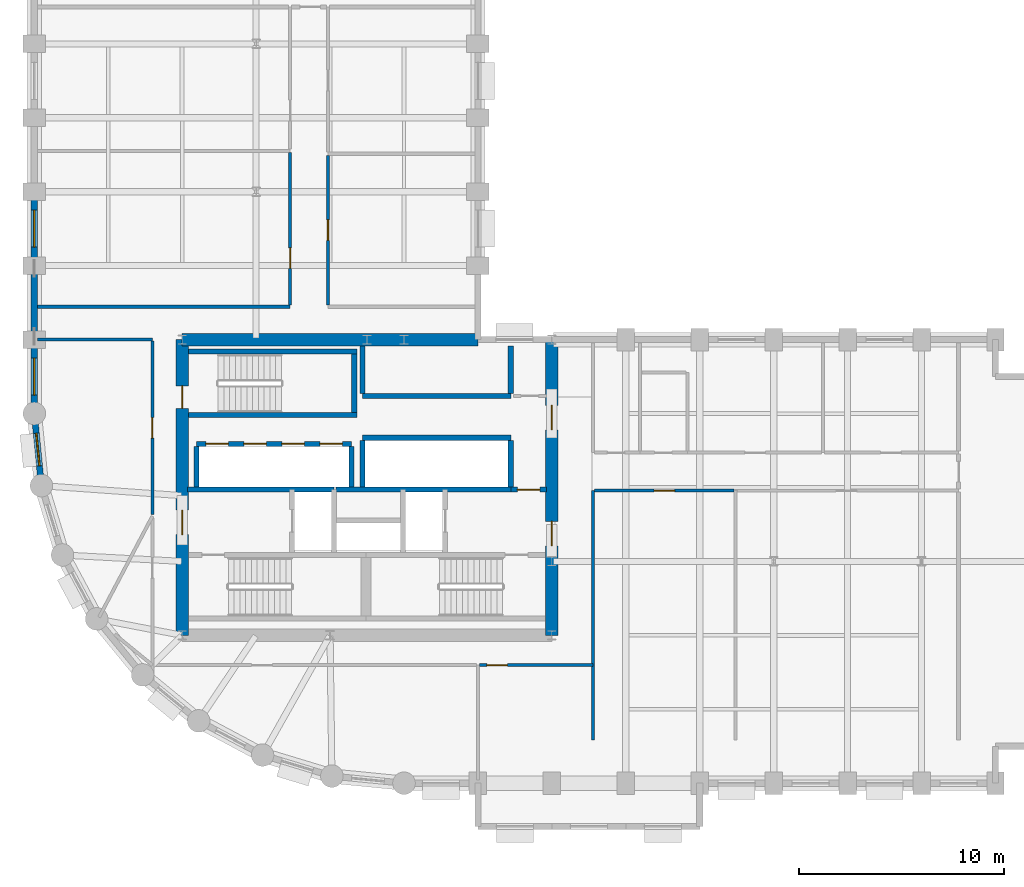
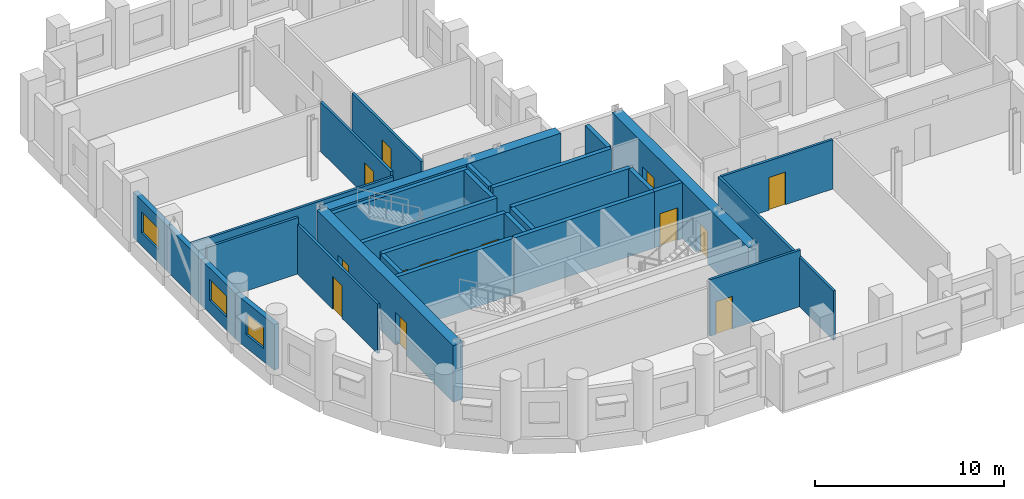
# One storey, part 4 of 10: 30 walls, 14 doors, 3 windows, 17 openings.
"""IFC4 building model written with IfcOpenShell, lengths in metres."""

from ifc_helpers import new_model, si_unit, direction, frame, frame_2d, origin, place, context, subcontext, project, spatial, rectangle, extrude, material, layer, layer_set, type_object, element, fill, save


model = new_model("IFC4")

# Units and contexts
model_context = context("Model", 3, precision=1e-05, world=origin(), true_north=direction((0.0, 1.0)))
body_context = subcontext(model_context, "Body", "Model", "MODEL_VIEW")
ifc_project = project(units=[si_unit("LENGTHUNIT", "METRE"), si_unit("AREAUNIT", "SQUARE_METRE"), si_unit("VOLUMEUNIT", "CUBIC_METRE"), si_unit("PLANEANGLEUNIT", "RADIAN"), si_unit("MASSUNIT", "GRAM", prefix="KILO")], contexts=[model_context])

# Site, building, storey
site_placement = place(None, origin())
site = spatial("IfcSite", under=ifc_project, at=site_placement, CompositionType="ELEMENT")
building_placement = place(site_placement, origin())
building = spatial("IfcBuilding", under=site, at=building_placement, Name="Solnavia Interchange Tower", CompositionType="ELEMENT")
storey_placement = place(building_placement, frame((0.0, 0.0, 103.5)))
storey = spatial("IfcBuildingStorey", under=building, at=storey_placement, Name="L25", CompositionType="ELEMENT", Elevation=103.5)

# Wall, opening, window
ifc_material_1 = material(Name="Concrete C40/50", Category="concrete")
ifc_layer_1 = layer(ifc_material_1, 0.300048828125)
ifc_layer_set_1 = layer_set([ifc_layer_1], Name="Concrete C40/50")
wall_type_1 = type_object("IfcWallType", Name="Wall-ExtSpandrel-300", PredefinedType="STANDARD", material=ifc_layer_set_1)
wall_1_placement = place(storey_placement, frame((7.199951171875, 28.800048828125, 0.0), z_axis=(0.0, 0.0, 1.0), x_axis=(0.0, 1.0, 0.0)))
wall_1 = element("IfcWall", 1, at=wall_1_placement, inside=storey, type_object=wall_type_1, Name="EXW-L25-50 Exterior precast spandrel wall", PredefinedType="STANDARD", context=body_context, shape_type="SweptSolid", body=[
    extrude(rectangle(XDim=3.599853515625, YDim=0.300048828125, at=frame_2d((1.7998046875, 0.0))), origin(), (0.0, 0.0, 1.0), 2.929931640625),
])
opening_1_placement = place(wall_1_placement, frame((0.89990234375, 0.0, 0.85009765625)))
opening_1 = element("IfcOpeningElement", 2, at=opening_1_placement, cuts=wall_1, Name="Opening WIN-02", PredefinedType="OPENING", context=body_context, shape_type="SweptSolid", body=[
    extrude(rectangle(XDim=1.800048828125, YDim=1.35009765625, at=frame_2d((0.89990234375, 0.675048828125))), frame((0.0, 0.16015625, 0.0), z_axis=(0.0, -1.0, 0.0), x_axis=(1.0, 0.0, 0.0)), (0.0, 0.0, 1.0), 0.320068359375),
])
ifc_material_2 = material(Name="Thermal-Break Aluminium & Low-E Glass", Category="aluminium")
window_type_1 = type_object("IfcWindowType", Name="Window-Ribbon-1800x1350", PartitioningType="SINGLE_PANEL", PredefinedType="WINDOW", material=ifc_material_2)
window_1_placement = place(opening_1_placement, origin())
window_1 = element("IfcWindow", 3, at=window_1_placement, inside=storey, type_object=window_type_1, Name="WIN-L25-50 Facade ribbon window", OverallHeight=1.35009765625, OverallWidth=1.800048828125, PartitioningType="SINGLE_PANEL", PredefinedType="WINDOW", context=body_context, shape_type="SweptSolid", body=[
    extrude(rectangle(XDim=1.800048828125, YDim=1.35009765625, at=frame_2d((0.89990234375, 0.675048828125))), frame((0.0, 0.030029296875, 0.0), z_axis=(0.0, -1.0, 0.0), x_axis=(1.0, 0.0, 0.0)), (0.0, 0.0, 1.0), 0.06005859375),
])
fill(opening_1, window_1)

# Wall
wall_2_placement = place(storey_placement, frame((7.199951171875, 25.199951171875, 0.0), z_axis=(0.0, 0.0, 1.0), x_axis=(0.0, 1.0, 0.0)))
element("IfcWall", 4, at=wall_2_placement, inside=storey, type_object=wall_type_1, Name="EXW-L25-51 Exterior precast spandrel wall", PredefinedType="STANDARD", context=body_context, shape_type="SweptSolid", body=[
    extrude(rectangle(XDim=3.60009765625, YDim=0.300048828125, at=frame_2d((1.800048828125, 0.0))), origin(), (0.0, 0.0, 1.0), 2.929931640625),
])

# Wall, opening, window
wall_3_placement = place(storey_placement, frame((7.199951171875, 21.60009765625, 0.0), z_axis=(0.0, 0.0, 1.0), x_axis=(0.0, 1.0, 0.0)))
wall_3 = element("IfcWall", 5, at=wall_3_placement, inside=storey, type_object=wall_type_1, Name="EXW-L25-52 Exterior precast spandrel wall", PredefinedType="STANDARD", context=body_context, shape_type="SweptSolid", body=[
    extrude(rectangle(XDim=3.599853515625, YDim=0.300048828125, at=frame_2d((1.7998046875, 0.0))), origin(), (0.0, 0.0, 1.0), 2.929931640625),
])
opening_2_placement = place(wall_3_placement, frame((0.89990234375, 0.0, 0.85009765625)))
opening_2 = element("IfcOpeningElement", 6, at=opening_2_placement, cuts=wall_3, Name="Opening WIN-02", PredefinedType="OPENING", context=body_context, shape_type="SweptSolid", body=[
    extrude(rectangle(XDim=1.800048828125, YDim=1.35009765625, at=frame_2d((0.89990234375, 0.675048828125))), frame((0.0, 0.16015625, 0.0), z_axis=(0.0, -1.0, 0.0), x_axis=(1.0, 0.0, 0.0)), (0.0, 0.0, 1.0), 0.320068359375),
])
window_2_placement = place(opening_2_placement, origin())
window_2 = element("IfcWindow", 7, at=window_2_placement, inside=storey, type_object=window_type_1, Name="WIN-L25-52 Facade ribbon window", OverallHeight=1.35009765625, OverallWidth=1.800048828125, PartitioningType="SINGLE_PANEL", PredefinedType="WINDOW", context=body_context, shape_type="SweptSolid", body=[
    extrude(rectangle(XDim=1.800048828125, YDim=1.35009765625, at=frame_2d((0.89990234375, 0.675048828125))), frame((0.0, 0.030029296875, 0.0), z_axis=(0.0, -1.0, 0.0), x_axis=(1.0, 0.0, 0.0)), (0.0, 0.0, 1.0), 0.06005859375),
])
fill(opening_2, window_2)

wall_4_placement = place(storey_placement, frame((7.5458984375, 18.087890625, 0.0), z_axis=(0.0, 0.0, 1.0), x_axis=(-0.09802417461, 0.995184033831, 0.0)))
wall_4 = element("IfcWall", 8, at=wall_4_placement, inside=storey, type_object=wall_type_1, Name="EXW-L25-53 Exterior precast spandrel wall", PredefinedType="STANDARD", context=body_context, shape_type="SweptSolid", body=[
    extrude(rectangle(XDim=3.529296875, YDim=0.300048828125, at=frame_2d((1.7646484375, 0.0))), origin(), (0.0, 0.0, 1.0), 2.929931640625),
])
opening_3_placement = place(wall_4_placement, frame((0.965087890625, 0.0, 0.85009765625)))
opening_3 = element("IfcOpeningElement", 9, at=opening_3_placement, cuts=wall_4, Name="Opening WIN-04", PredefinedType="OPENING", context=body_context, shape_type="SweptSolid", body=[
    extrude(rectangle(XDim=1.60009765625, YDim=1.35009765625, at=frame_2d((0.800048828125, 0.675048828125))), frame((0.0, 0.16015625, 0.0), z_axis=(0.0, -1.0, 0.0), x_axis=(1.0, 0.0, 0.0)), (0.0, 0.0, 1.0), 0.320068359375),
])
window_type_2 = type_object("IfcWindowType", Name="Window-Drum-1600x1350", PartitioningType="SINGLE_PANEL", PredefinedType="WINDOW", material=ifc_material_2)
window_3_placement = place(opening_3_placement, origin())
window_3 = element("IfcWindow", 10, at=window_3_placement, inside=storey, type_object=window_type_2, Name="WIN-L25-53 Facade ribbon window", OverallHeight=1.35009765625, OverallWidth=1.60009765625, PartitioningType="SINGLE_PANEL", PredefinedType="WINDOW", context=body_context, shape_type="SweptSolid", body=[
    extrude(rectangle(XDim=1.60009765625, YDim=1.35009765625, at=frame_2d((0.800048828125, 0.675048828125))), frame((0.0, 0.030029296875, 0.0), z_axis=(0.0, -1.0, 0.0), x_axis=(1.0, 0.0, 0.0)), (0.0, 0.0, 1.0), 0.06005859375),
])
fill(opening_3, window_3)

# Wall
ifc_material_3 = material(Name="Gypsum Plasterboard & Steel Stud", Category="steel")
ifc_layer_2 = layer(ifc_material_3, 0.14990234375)
ifc_layer_set_2 = layer_set([ifc_layer_2], Name="Gypsum Plasterboard & Steel Stud")
wall_type_2 = type_object("IfcWallType", Name="Wall-Partition-150", PredefinedType="PARTITIONING", material=ifc_layer_set_2)
wall_5_placement = place(storey_placement, frame((7.35400390625, 25.199951171875, 0.0), z_axis=(0.0, 0.0, 1.0), x_axis=(1.0, 0.0, 0.0)))
element("IfcWall", 11, at=wall_5_placement, inside=storey, type_object=wall_type_2, Name="PTW-L25-07 Interior partition wall", PredefinedType="PARTITIONING", context=body_context, shape_type="SweptSolid", body=[
    extrude(rectangle(XDim=5.595947265625, YDim=0.14990234375, at=frame_2d((2.7978515625, 0.0))), origin(), (0.0, 0.0, 1.0), 3.635009765625),
])

# Wall, opening, door
wall_6_placement = place(storey_placement, frame((12.949951171875, 16.678955078125, 0.0), z_axis=(0.0, 0.0, 1.0), x_axis=(0.0, 1.0, 0.0)))
wall_6 = element("IfcWall", 12, at=wall_6_placement, inside=storey, type_object=wall_type_2, Name="PTW-L25-11 Interior partition wall", PredefinedType="PARTITIONING", context=body_context, shape_type="SweptSolid", body=[
    extrude(rectangle(XDim=8.442138671875, YDim=0.14990234375, at=frame_2d((4.22119140625, 0.0))), origin(), (0.0, 0.0, 1.0), 3.18994140625),
])
opening_4_placement = place(wall_6_placement, frame((3.720947265625, 0.0, 0.0)))
opening_4 = element("IfcOpeningElement", 13, at=opening_4_placement, cuts=wall_6, Name="Opening DR-07", PredefinedType="OPENING", context=body_context, shape_type="SweptSolid", body=[
    extrude(rectangle(XDim=1.0, YDim=2.10009765625, at=frame_2d((0.5, 1.050048828125))), frame((0.0, 0.0849609375, 0.0), z_axis=(0.0, -1.0, 0.0), x_axis=(1.0, 0.0, 0.0)), (0.0, 0.0, 1.0), 0.169921875),
])
ifc_material_4 = material(Name="Timber & Acoustic Glazed Office Door", Category="wood")
door_type_1 = type_object("IfcDoorType", Name="Door-Office-1000x2100", OperationType="SINGLE_SWING_RIGHT", PredefinedType="DOOR", material=ifc_material_4)
door_1_placement = place(opening_4_placement, origin())
door_1 = element("IfcDoor", 14, at=door_1_placement, inside=storey, type_object=door_type_1, Name="DR-L25-03 Interior room door", OperationType="SINGLE_SWING_LEFT", OverallHeight=2.10009765625, OverallWidth=1.0, PredefinedType="DOOR", context=body_context, shape_type="SweptSolid", body=[
    extrude(rectangle(XDim=1.0, YDim=2.10009765625, at=frame_2d((0.5, 1.050048828125))), frame((0.0, 0.02490234375, 0.0), z_axis=(0.0, -1.0, 0.0), x_axis=(1.0, 0.0, 0.0)), (0.0, 0.0, 1.0), 0.050048828125),
])
fill(opening_4, door_1)

wall_7_placement = place(storey_placement, frame((28.87890625, 9.35009765625, 0.0), z_axis=(0.0, 0.0, 1.0), x_axis=(1.0, 0.0, 0.0)))
wall_7 = element("IfcWall", 15, at=wall_7_placement, inside=storey, type_object=wall_type_2, Name="PTW-L25-14 Interior partition wall", PredefinedType="PARTITIONING", context=body_context, shape_type="SweptSolid", body=[
    extrude(rectangle(XDim=5.52099609375, YDim=0.14990234375, at=frame_2d((2.760498046875, 0.0))), origin(), (0.0, 0.0, 1.0), 3.635009765625),
])
opening_5_placement = place(wall_7_placement, frame((0.360107421875, 0.0, 0.0)))
opening_5 = element("IfcOpeningElement", 16, at=opening_5_placement, cuts=wall_7, Name="Opening DR-07", PredefinedType="OPENING", context=body_context, shape_type="SweptSolid", body=[
    extrude(rectangle(XDim=1.0, YDim=2.10009765625, at=frame_2d((0.5, 1.050048828125))), frame((0.0, 0.0849609375, 0.0), z_axis=(0.0, -1.0, 0.0), x_axis=(1.0, 0.0, 0.0)), (0.0, 0.0, 1.0), 0.169921875),
])
door_2_placement = place(opening_5_placement, origin())
door_2 = element("IfcDoor", 17, at=door_2_placement, inside=storey, type_object=door_type_1, Name="DR-L25-06 Interior room door", OperationType="SINGLE_SWING_LEFT", OverallHeight=2.10009765625, OverallWidth=1.0, PredefinedType="DOOR", context=body_context, shape_type="SweptSolid", body=[
    extrude(rectangle(XDim=1.0, YDim=2.10009765625, at=frame_2d((0.5, 1.050048828125))), frame((0.0, 0.02490234375, 0.0), z_axis=(0.0, -1.0, 0.0), x_axis=(1.0, 0.0, 0.0)), (0.0, 0.0, 1.0), 0.050048828125),
])
fill(opening_5, door_2)

# Wall
wall_8_placement = place(storey_placement, frame((34.39990234375, 5.699951171875, 0.0), z_axis=(0.0, 0.0, 1.0), x_axis=(0.0, 1.0, 0.0)))
element("IfcWall", 18, at=wall_8_placement, inside=storey, type_object=wall_type_2, Name="PTW-L25-15 Interior partition wall", PredefinedType="PARTITIONING", context=body_context, shape_type="SweptSolid", body=[
    extrude(rectangle(XDim=12.150146484375, YDim=0.14990234375, at=frame_2d((6.0751953125, 0.0))), origin(), (0.0, 0.0, 1.0), 3.179931640625),
])

# Wall, opening, door
wall_9_placement = place(storey_placement, frame((34.47900390625, 17.85009765625, 0.0), z_axis=(0.0, 0.0, 1.0), x_axis=(1.0, 0.0, 0.0)))
wall_9 = element("IfcWall", 19, at=wall_9_placement, inside=storey, type_object=wall_type_2, Name="PTW-L25-17 Interior partition wall", PredefinedType="PARTITIONING", context=body_context, shape_type="SweptSolid", body=[
    extrude(rectangle(XDim=6.7919921875, YDim=0.14990234375, at=frame_2d((3.39599609375, 0.0))), origin(), (0.0, 0.0, 1.0), 3.179931640625),
])
opening_6_placement = place(wall_9_placement, frame((2.89599609375, 0.0, 0.0)))
opening_6 = element("IfcOpeningElement", 20, at=opening_6_placement, cuts=wall_9, Name="Opening DR-07", PredefinedType="OPENING", context=body_context, shape_type="SweptSolid", body=[
    extrude(rectangle(XDim=1.0, YDim=2.10009765625, at=frame_2d((0.5, 1.050048828125))), frame((0.0, 0.0849609375, 0.0), z_axis=(0.0, -1.0, 0.0), x_axis=(1.0, 0.0, 0.0)), (0.0, 0.0, 1.0), 0.169921875),
])
door_3_placement = place(opening_6_placement, origin())
door_3 = element("IfcDoor", 21, at=door_3_placement, inside=storey, type_object=door_type_1, Name="DR-L25-07 Interior room door", OperationType="SINGLE_SWING_LEFT", OverallHeight=2.10009765625, OverallWidth=1.0, PredefinedType="DOOR", context=body_context, shape_type="SweptSolid", body=[
    extrude(rectangle(XDim=1.0, YDim=2.10009765625, at=frame_2d((0.5, 1.050048828125))), frame((0.0, 0.02490234375, 0.0), z_axis=(0.0, -1.0, 0.0), x_axis=(1.0, 0.0, 0.0)), (0.0, 0.0, 1.0), 0.050048828125),
])
fill(opening_6, door_3)

# Wall
wall_10_placement = place(storey_placement, frame((7.35400390625, 26.800048828125, 0.0), z_axis=(0.0, 0.0, 1.0), x_axis=(1.0, 0.0, 0.0)))
element("IfcWall", 22, at=wall_10_placement, inside=storey, type_object=wall_type_2, Name="PTW-L25-25 Interior partition wall", PredefinedType="PARTITIONING", context=body_context, shape_type="SweptSolid", body=[
    extrude(rectangle(XDim=12.2958984375, YDim=0.14990234375, at=frame_2d((6.14794921875, 0.0))), origin(), (0.0, 0.0, 1.0), 2.929931640625),
])

# Wall, opening, door
wall_11_placement = place(storey_placement, frame((19.64990234375, 26.87890625, 0.0), z_axis=(0.0, 0.0, 1.0), x_axis=(0.0, 1.0, 0.0)))
wall_11 = element("IfcWall", 23, at=wall_11_placement, inside=storey, type_object=wall_type_2, Name="PTW-L25-27 Interior partition wall", PredefinedType="PARTITIONING", context=body_context, shape_type="SweptSolid", body=[
    extrude(rectangle(XDim=7.43212890625, YDim=0.14990234375, at=frame_2d((3.716064453125, 0.0))), origin(), (0.0, 0.0, 1.0), 3.18994140625),
])
opening_7_placement = place(wall_11_placement, frame((1.7880859375, 0.0, 0.0)))
opening_7 = element("IfcOpeningElement", 24, at=opening_7_placement, cuts=wall_11, Name="Opening DR-07", PredefinedType="OPENING", context=body_context, shape_type="SweptSolid", body=[
    extrude(rectangle(XDim=1.0, YDim=2.10009765625, at=frame_2d((0.5, 1.050048828125))), frame((0.0, 0.0849609375, 0.0), z_axis=(0.0, -1.0, 0.0), x_axis=(1.0, 0.0, 0.0)), (0.0, 0.0, 1.0), 0.169921875),
])
door_4_placement = place(opening_7_placement, origin())
door_4 = element("IfcDoor", 25, at=door_4_placement, inside=storey, type_object=door_type_1, Name="DR-L25-12 Interior room door", OperationType="SINGLE_SWING_RIGHT", OverallHeight=2.10009765625, OverallWidth=1.0, PredefinedType="DOOR", context=body_context, shape_type="SweptSolid", body=[
    extrude(rectangle(XDim=1.0, YDim=2.10009765625, at=frame_2d((0.5, 1.050048828125))), frame((0.0, 0.02490234375, 0.0), z_axis=(0.0, -1.0, 0.0), x_axis=(1.0, 0.0, 0.0)), (0.0, 0.0, 1.0), 0.050048828125),
])
fill(opening_7, door_4)

wall_12_placement = place(storey_placement, frame((21.5, 26.87890625, 0.0), z_axis=(0.0, 0.0, 1.0), x_axis=(0.0, 1.0, 0.0)))
wall_12 = element("IfcWall", 26, at=wall_12_placement, inside=storey, type_object=wall_type_2, Name="PTW-L25-31 Interior partition wall", PredefinedType="PARTITIONING", context=body_context, shape_type="SweptSolid", body=[
    extrude(rectangle(XDim=7.2919921875, YDim=0.14990234375, at=frame_2d((3.64599609375, 0.0))), origin(), (0.0, 0.0, 1.0), 3.18994140625),
])
opening_8_placement = place(wall_12_placement, frame((3.14599609375, 0.0, 0.0)))
opening_8 = element("IfcOpeningElement", 27, at=opening_8_placement, cuts=wall_12, Name="Opening DR-07", PredefinedType="OPENING", context=body_context, shape_type="SweptSolid", body=[
    extrude(rectangle(XDim=1.0, YDim=2.10009765625, at=frame_2d((0.5, 1.050048828125))), frame((0.0, 0.0849609375, 0.0), z_axis=(0.0, -1.0, 0.0), x_axis=(1.0, 0.0, 0.0)), (0.0, 0.0, 1.0), 0.169921875),
])
door_5_placement = place(opening_8_placement, origin())
door_5 = element("IfcDoor", 28, at=door_5_placement, inside=storey, type_object=door_type_1, Name="DR-L25-14 Interior room door", OperationType="SINGLE_SWING_LEFT", OverallHeight=2.10009765625, OverallWidth=1.0, PredefinedType="DOOR", context=body_context, shape_type="SweptSolid", body=[
    extrude(rectangle(XDim=1.0, YDim=2.10009765625, at=frame_2d((0.5, 1.050048828125))), frame((0.0, 0.02490234375, 0.0), z_axis=(0.0, -1.0, 0.0), x_axis=(1.0, 0.0, 0.0)), (0.0, 0.0, 1.0), 0.050048828125),
])
fill(opening_8, door_5)

# Walls
ifc_layer_3 = layer(ifc_material_1, 0.25)
ifc_layer_set_3 = layer_set([ifc_layer_3], Name="Concrete C40/50")
wall_type_3 = type_object("IfcWallType", Name="Wall-ShaftCore-250", PredefinedType="SHEAR", material=ifc_layer_set_3)
for number, where, z_axis, x_axis, name in (
    (29, (14.699951171875, 21.52490234375, 0.0), (0.0, 0.0, 1.0), (1.0, 0.0, 0.0), "SHW-L25-ST3S Core shear wall"),
    (30, (14.699951171875, 24.614990234375, 0.0), (0.0, 0.0, 1.0), (1.0, 0.0, 0.0), "SHW-L25-ST3N Core shear wall"),
):
    element("IfcWall", number, at=place(storey_placement, frame(where, z_axis=z_axis, x_axis=x_axis)), inside=storey, type_object=wall_type_3, Name=name, PredefinedType="SHEAR", context=body_context, shape_type="SweptSolid", body=[
        extrude(rectangle(XDim=8.199951171875, YDim=0.25, at=frame_2d((4.10009765625, 0.0))), origin(), (0.0, 0.0, 1.0), 3.64990234375),
    ])
wall_13_placement = place(storey_placement, frame((22.77490234375, 21.64990234375, 0.0), z_axis=(0.0, 0.0, 1.0), x_axis=(0.0, 1.0, 0.0)))
element("IfcWall", 31, at=wall_13_placement, inside=storey, type_object=wall_type_3, Name="SHW-L25-ST3E Core shear wall", PredefinedType="SHEAR", context=body_context, shape_type="SweptSolid", body=[
    extrude(rectangle(XDim=2.840087890625, YDim=0.25, at=frame_2d((1.419921875, 0.0))), origin(), (0.0, 0.0, 1.0), 3.64990234375),
])
ifc_layer_4 = layer(ifc_material_1, 0.25)
ifc_layer_set_4 = layer_set([ifc_layer_4], Name="Concrete C40/50")
wall_type_4 = type_object("IfcWallType", Name="Wall-ShaftPart-250", PredefinedType="PARTITIONING", material=ifc_layer_set_4)
wall_14_placement = place(storey_placement, frame((14.64990234375, 17.89990234375, 0.0), z_axis=(0.0, 0.0, 1.0), x_axis=(1.0, 0.0, 0.0)))
element("IfcWall", 32, at=wall_14_placement, inside=storey, type_object=wall_type_4, Name="SHW-L25-FFLW-N Core shaft wall", PredefinedType="PARTITIONING", context=body_context, shape_type="SweptSolid", body=[
    extrude(rectangle(XDim=7.150146484375, YDim=0.25, at=frame_2d((3.5751953125, 0.0))), origin(), (0.0, 0.0, 1.0), 3.635009765625),
])
wall_15_placement = place(storey_placement, frame((21.8798828125, 17.89990234375, 0.0), z_axis=(0.0, 0.0, 1.0), x_axis=(1.0, 0.0, 0.0)))
element("IfcWall", 33, at=wall_15_placement, inside=storey, type_object=wall_type_4, Name="SHW-L25-FFLE-N1 Core shaft wall", PredefinedType="PARTITIONING", context=body_context, shape_type="SweptSolid", body=[
    extrude(rectangle(XDim=8.52001953125, YDim=0.25, at=frame_2d((4.260009765625, 0.0))), origin(), (0.0, 0.0, 1.0), 3.635009765625),
])

# Wall, opening, door
wall_16_placement = place(storey_placement, frame((30.39990234375, 17.89990234375, 0.0), z_axis=(0.0, 0.0, 1.0), x_axis=(1.0, 0.0, 0.0)))
wall_16 = element("IfcWall", 34, at=wall_16_placement, inside=storey, type_object=wall_type_4, Name="SHW-L25-FFLE-N2 Core shaft wall", PredefinedType="PARTITIONING", context=body_context, shape_type="SweptSolid", body=[
    extrude(rectangle(XDim=1.75, YDim=0.25, at=frame_2d((0.875, 0.0))), origin(), (0.0, 0.0, 1.0), 3.635009765625),
])
opening_9_placement = place(wall_16_placement, frame((0.320068359375, 0.0, 0.0)))
opening_9 = element("IfcOpeningElement", 35, at=opening_9_placement, cuts=wall_16, Name="Opening DR-01", PredefinedType="OPENING", context=body_context, shape_type="SweptSolid", body=[
    extrude(rectangle(XDim=1.10009765625, YDim=2.10009765625, at=frame_2d((0.550048828125, 1.050048828125))), frame((0.0, 0.135009765625, 0.0), z_axis=(0.0, -1.0, 0.0), x_axis=(1.0, 0.0, 0.0)), (0.0, 0.0, 1.0), 0.27001953125),
])
ifc_material_5 = material(Name="Steel Fire-Rated Leaf & Frame", Category="steel")
door_type_2 = type_object("IfcDoorType", Name="Door-StairFire-1100x2100", OperationType="SINGLE_SWING_LEFT", PredefinedType="DOOR", material=ifc_material_5)
door_6_placement = place(opening_9_placement, origin())
door_6 = element("IfcDoor", 36, at=door_6_placement, inside=storey, type_object=door_type_2, Name="DR-L25-LLC Core fire door", OperationType="SINGLE_SWING_LEFT", OverallHeight=2.10009765625, OverallWidth=1.10009765625, PredefinedType="DOOR", context=body_context, shape_type="SweptSolid", body=[
    extrude(rectangle(XDim=1.10009765625, YDim=2.10009765625, at=frame_2d((0.550048828125, 1.050048828125))), frame((0.0, 0.02490234375, 0.0), z_axis=(0.0, -1.0, 0.0), x_axis=(1.0, 0.0, 0.0)), (0.0, 0.0, 1.0), 0.050048828125),
])
fill(opening_9, door_6)

# Wall, openings, doors
wall_17_placement = place(storey_placement, frame((15.10009765625, 20.125, 0.0), z_axis=(0.0, 0.0, 1.0), x_axis=(1.0, 0.0, 0.0)))
wall_17 = element("IfcWall", 37, at=wall_17_placement, inside=storey, type_object=wall_type_4, Name="SHW-L25-B1N Core shaft wall", PredefinedType="PARTITIONING", context=body_context, shape_type="SweptSolid", body=[
    extrude(rectangle(XDim=7.5498046875, YDim=0.25, at=frame_2d((3.77490234375, 0.0))), origin(), (0.0, 0.0, 1.0), 3.635009765625),
])
opening_10_placement = place(wall_17_placement, frame((0.449951171875, 0.0, 0.0)))
opening_10 = element("IfcOpeningElement", 38, at=opening_10_placement, cuts=wall_17, Name="Opening LD-01", PredefinedType="OPENING", context=body_context, shape_type="SweptSolid", body=[
    extrude(rectangle(XDim=1.10009765625, YDim=2.10009765625, at=frame_2d((0.550048828125, 1.050048828125))), frame((0.0, 0.135009765625, 0.0), z_axis=(0.0, -1.0, 0.0), x_axis=(1.0, 0.0, 0.0)), (0.0, 0.0, 1.0), 0.27001953125),
])
opening_11_placement = place(wall_17_placement, frame((2.300048828125, 0.0, 0.0)))
opening_11 = element("IfcOpeningElement", 39, at=opening_11_placement, cuts=wall_17, Name="Opening LD-01", PredefinedType="OPENING", context=body_context, shape_type="SweptSolid", body=[
    extrude(rectangle(XDim=1.10009765625, YDim=2.10009765625, at=frame_2d((0.550048828125, 1.050048828125))), frame((0.0, 0.135009765625, 0.0), z_axis=(0.0, -1.0, 0.0), x_axis=(1.0, 0.0, 0.0)), (0.0, 0.0, 1.0), 0.27001953125),
])
opening_12_placement = place(wall_17_placement, frame((4.14990234375, 0.0, 0.0)))
opening_12 = element("IfcOpeningElement", 40, at=opening_12_placement, cuts=wall_17, Name="Opening LD-01", PredefinedType="OPENING", context=body_context, shape_type="SweptSolid", body=[
    extrude(rectangle(XDim=1.10009765625, YDim=2.10009765625, at=frame_2d((0.550048828125, 1.050048828125))), frame((0.0, 0.135009765625, 0.0), z_axis=(0.0, -1.0, 0.0), x_axis=(1.0, 0.0, 0.0)), (0.0, 0.0, 1.0), 0.27001953125),
])
opening_13_placement = place(wall_17_placement, frame((6.0, 0.0, 0.0)))
opening_13 = element("IfcOpeningElement", 41, at=opening_13_placement, cuts=wall_17, Name="Opening LD-01", PredefinedType="OPENING", context=body_context, shape_type="SweptSolid", body=[
    extrude(rectangle(XDim=1.10009765625, YDim=2.10009765625, at=frame_2d((0.550048828125, 1.050048828125))), frame((0.0, 0.135009765625, 0.0), z_axis=(0.0, -1.0, 0.0), x_axis=(1.0, 0.0, 0.0)), (0.0, 0.0, 1.0), 0.27001953125),
])
ifc_material_6 = material(Name="Brushed Stainless Steel Sliding Door", Category="steel")
door_type_3 = type_object("IfcDoorType", Name="Door-LiftLanding-1100x2100", OperationType="SLIDING_TO_LEFT", PredefinedType="DOOR", material=ifc_material_6)
door_7_placement = place(opening_10_placement, origin())
door_7 = element("IfcDoor", 42, at=door_7_placement, inside=storey, type_object=door_type_3, Name="LD-L25-B1-1 Lift landing sliding door", OperationType="SLIDING_TO_LEFT", OverallHeight=2.10009765625, OverallWidth=1.10009765625, PredefinedType="DOOR", context=body_context, shape_type="SweptSolid", body=[
    extrude(rectangle(XDim=1.10009765625, YDim=2.10009765625, at=frame_2d((0.550048828125, 1.050048828125))), frame((0.0, 0.02490234375, 0.0), z_axis=(0.0, -1.0, 0.0), x_axis=(1.0, 0.0, 0.0)), (0.0, 0.0, 1.0), 0.050048828125),
])
fill(opening_10, door_7)
door_8_placement = place(opening_11_placement, origin())
door_8 = element("IfcDoor", 43, at=door_8_placement, inside=storey, type_object=door_type_3, Name="LD-L25-B1-2 Lift landing sliding door", OperationType="SLIDING_TO_LEFT", OverallHeight=2.10009765625, OverallWidth=1.10009765625, PredefinedType="DOOR", context=body_context, shape_type="SweptSolid", body=[
    extrude(rectangle(XDim=1.10009765625, YDim=2.10009765625, at=frame_2d((0.550048828125, 1.050048828125))), frame((0.0, 0.02490234375, 0.0), z_axis=(0.0, -1.0, 0.0), x_axis=(1.0, 0.0, 0.0)), (0.0, 0.0, 1.0), 0.050048828125),
])
fill(opening_11, door_8)
door_9_placement = place(opening_12_placement, origin())
door_9 = element("IfcDoor", 44, at=door_9_placement, inside=storey, type_object=door_type_3, Name="LD-L25-B1-3 Lift landing sliding door", OperationType="SLIDING_TO_LEFT", OverallHeight=2.10009765625, OverallWidth=1.10009765625, PredefinedType="DOOR", context=body_context, shape_type="SweptSolid", body=[
    extrude(rectangle(XDim=1.10009765625, YDim=2.10009765625, at=frame_2d((0.550048828125, 1.050048828125))), frame((0.0, 0.02490234375, 0.0), z_axis=(0.0, -1.0, 0.0), x_axis=(1.0, 0.0, 0.0)), (0.0, 0.0, 1.0), 0.050048828125),
])
fill(opening_12, door_9)
door_10_placement = place(opening_13_placement, origin())
door_10 = element("IfcDoor", 45, at=door_10_placement, inside=storey, type_object=door_type_3, Name="LD-L25-B1-4 Lift landing sliding door", OperationType="SLIDING_TO_LEFT", OverallHeight=2.10009765625, OverallWidth=1.10009765625, PredefinedType="DOOR", context=body_context, shape_type="SweptSolid", body=[
    extrude(rectangle(XDim=1.10009765625, YDim=2.10009765625, at=frame_2d((0.550048828125, 1.050048828125))), frame((0.0, 0.02490234375, 0.0), z_axis=(0.0, -1.0, 0.0), x_axis=(1.0, 0.0, 0.0)), (0.0, 0.0, 1.0), 0.050048828125),
])
fill(opening_13, door_10)

# Walls
for number, where, z_axis, x_axis, name in (
    (46, (15.10009765625, 18.02490234375, 0.0), (0.0, 0.0, 1.0), (0.0, 1.0, 0.0), "SHW-L25-B1W Core shaft wall"),
    (47, (22.64990234375, 18.02490234375, 0.0), (0.0, 0.0, 1.0), (0.0, 1.0, 0.0), "SHW-L25-B1E Core shaft wall"),
):
    element("IfcWall", number, at=place(storey_placement, frame(where, z_axis=z_axis, x_axis=x_axis)), inside=storey, type_object=wall_type_4, Name=name, PredefinedType="PARTITIONING", context=body_context, shape_type="SweptSolid", body=[
        extrude(rectangle(XDim=1.97509765625, YDim=0.25, at=frame_2d((0.987548828125, 0.0))), origin(), (0.0, 0.0, 1.0), 3.635009765625),
    ])
wall_18_placement = place(storey_placement, frame((23.179931640625, 20.419921875, 0.0), z_axis=(0.0, 0.0, 1.0), x_axis=(1.0, 0.0, 0.0)))
element("IfcWall", 48, at=wall_18_placement, inside=storey, type_object=wall_type_4, Name="SHW-L25-B2N Core shaft wall", PredefinedType="PARTITIONING", context=body_context, shape_type="SweptSolid", body=[
    extrude(rectangle(XDim=7.219970703125, YDim=0.25, at=frame_2d((3.60986328125, 0.0))), origin(), (0.0, 0.0, 1.0), 3.635009765625),
])
for number, where, z_axis, x_axis, name in (
    (49, (23.179931640625, 18.02490234375, 0.0), (0.0, 0.0, 1.0), (0.0, 1.0, 0.0), "SHW-L25-B2W Core shaft wall"),
    (50, (30.39990234375, 18.02490234375, 0.0), (0.0, 0.0, 1.0), (0.0, 1.0, 0.0), "SHW-L25-B2E Core shaft wall"),
):
    element("IfcWall", number, at=place(storey_placement, frame(where, z_axis=z_axis, x_axis=x_axis)), inside=storey, type_object=wall_type_4, Name=name, PredefinedType="PARTITIONING", context=body_context, shape_type="SweptSolid", body=[
        extrude(rectangle(XDim=2.27001953125, YDim=0.25, at=frame_2d((1.135009765625, 0.0))), origin(), (0.0, 0.0, 1.0), 3.635009765625),
    ])
wall_19_placement = place(storey_placement, frame((23.179931640625, 22.4599609375, 0.0), z_axis=(0.0, 0.0, 1.0), x_axis=(1.0, 0.0, 0.0)))
element("IfcWall", 51, at=wall_19_placement, inside=storey, type_object=wall_type_4, Name="SHW-L25-B3S Core shaft wall", PredefinedType="PARTITIONING", context=body_context, shape_type="SweptSolid", body=[
    extrude(rectangle(XDim=7.219970703125, YDim=0.25, at=frame_2d((3.60986328125, 0.0))), origin(), (0.0, 0.0, 1.0), 3.635009765625),
])
for number, where, z_axis, x_axis, name in (
    (52, (23.179931640625, 22.5849609375, 0.0), (0.0, 0.0, 1.0), (0.0, 1.0, 0.0), "SHW-L25-B3W Core shaft wall"),
    (53, (30.39990234375, 22.5849609375, 0.0), (0.0, 0.0, 1.0), (0.0, 1.0, 0.0), "SHW-L25-B3E Core shaft wall"),
):
    element("IfcWall", number, at=place(storey_placement, frame(where, z_axis=z_axis, x_axis=x_axis)), inside=storey, type_object=wall_type_4, Name=name, PredefinedType="PARTITIONING", context=body_context, shape_type="SweptSolid", body=[
        extrude(rectangle(XDim=2.31494140625, YDim=0.25, at=frame_2d((1.157470703125, 0.0))), origin(), (0.0, 0.0, 1.0), 3.635009765625),
    ])
ifc_material_7 = material(Name="Concrete C60/75", Category="concrete")
ifc_layer_5 = layer(ifc_material_7, 0.60009765625)
ifc_layer_set_5 = layer_set([ifc_layer_5], Name="Concrete C60/75")
wall_type_5 = type_object("IfcWallType", Name="Wall-ShearCore-600", PredefinedType="SHEAR", material=ifc_layer_set_5)
wall_20_placement = place(storey_placement, frame((14.39990234375, 25.199951171875, 0.0), z_axis=(0.0, 0.0, 1.0), x_axis=(1.0, 0.0, 0.0)))
element("IfcWall", 54, at=wall_20_placement, inside=storey, type_object=wall_type_5, Name="CRW-L25-N Core shear wall", PredefinedType="SHEAR", context=body_context, shape_type="SweptSolid", body=[
    extrude(rectangle(XDim=14.400146484375, YDim=0.60009765625, at=frame_2d((7.2001953125, 0.0))), origin(), (0.0, 0.0, 1.0), 3.64990234375),
])

# Wall, openings, doors
wall_21_placement = place(storey_placement, frame((14.39990234375, 10.800048828125, 0.0), z_axis=(0.0, 0.0, 1.0), x_axis=(0.0, 1.0, 0.0)))
wall_21 = element("IfcWall", 55, at=wall_21_placement, inside=storey, type_object=wall_type_5, Name="CRW-L25-W Core shear wall", PredefinedType="SHEAR", context=body_context, shape_type="SweptSolid", body=[
    extrude(rectangle(XDim=14.39990234375, YDim=0.60009765625, at=frame_2d((7.199951171875, 0.0))), origin(), (0.0, 0.0, 1.0), 3.64990234375),
])
opening_14_placement = place(wall_21_placement, frame((11.050048828125, 0.0, 0.0)))
opening_14 = element("IfcOpeningElement", 56, at=opening_14_placement, cuts=wall_21, Name="Opening DR-01", PredefinedType="OPENING", context=body_context, shape_type="SweptSolid", body=[
    extrude(rectangle(XDim=1.10009765625, YDim=2.10009765625, at=frame_2d((0.550048828125, 1.050048828125))), frame((0.0, 0.31005859375, 0.0), z_axis=(0.0, -1.0, 0.0), x_axis=(1.0, 0.0, 0.0)), (0.0, 0.0, 1.0), 0.6201171875),
])
opening_15_placement = place(wall_21_placement, frame((4.89990234375, 0.0, 0.0)))
opening_15 = element("IfcOpeningElement", 57, at=opening_15_placement, cuts=wall_21, Name="Opening DR-02", PredefinedType="OPENING", context=body_context, shape_type="SweptSolid", body=[
    extrude(rectangle(XDim=1.199951171875, YDim=2.10009765625, at=frame_2d((0.60009765625, 1.050048828125))), frame((0.0, 0.31005859375, 0.0), z_axis=(0.0, -1.0, 0.0), x_axis=(1.0, 0.0, 0.0)), (0.0, 0.0, 1.0), 0.6201171875),
])
ifc_material_8 = material(Name="Steel Fire-Rated Vision-Panel Door", Category="steel")
door_type_4 = type_object("IfcDoorType", Name="Door-LobbyFire-1200x2100", OperationType="SINGLE_SWING_RIGHT", PredefinedType="DOOR", material=ifc_material_8)
door_11_placement = place(opening_15_placement, origin())
door_11 = element("IfcDoor", 58, at=door_11_placement, inside=storey, type_object=door_type_4, Name="DR-L25-FFL1W Core fire door", OperationType="SINGLE_SWING_RIGHT", OverallHeight=2.10009765625, OverallWidth=1.199951171875, PredefinedType="DOOR", context=body_context, shape_type="SweptSolid", body=[
    extrude(rectangle(XDim=1.199951171875, YDim=2.10009765625, at=frame_2d((0.60009765625, 1.050048828125))), frame((0.0, 0.02490234375, 0.0), z_axis=(0.0, -1.0, 0.0), x_axis=(1.0, 0.0, 0.0)), (0.0, 0.0, 1.0), 0.050048828125),
])
fill(opening_15, door_11)
door_12_placement = place(opening_14_placement, origin())
door_12 = element("IfcDoor", 59, at=door_12_placement, inside=storey, type_object=door_type_2, Name="DR-L25-ST3 Core fire door", OperationType="SINGLE_SWING_RIGHT", OverallHeight=2.10009765625, OverallWidth=1.10009765625, PredefinedType="DOOR", context=body_context, shape_type="SweptSolid", body=[
    extrude(rectangle(XDim=1.10009765625, YDim=2.10009765625, at=frame_2d((0.550048828125, 1.050048828125))), frame((0.0, 0.02490234375, 0.0), z_axis=(0.0, -1.0, 0.0), x_axis=(1.0, 0.0, 0.0)), (0.0, 0.0, 1.0), 0.050048828125),
])
fill(opening_14, door_12)

wall_22_placement = place(storey_placement, frame((32.39990234375, 10.800048828125, 0.0), z_axis=(0.0, 0.0, 1.0), x_axis=(0.0, 1.0, 0.0)))
wall_22 = element("IfcWall", 60, at=wall_22_placement, inside=storey, type_object=wall_type_5, Name="CRW-L25-E Core shear wall", PredefinedType="SHEAR", context=body_context, shape_type="SweptSolid", body=[
    extrude(rectangle(XDim=14.39990234375, YDim=0.60009765625, at=frame_2d((7.199951171875, 0.0))), origin(), (0.0, 0.0, 1.0), 3.64990234375),
])
opening_16_placement = place(wall_22_placement, frame((4.35009765625, 0.0, 0.0)))
opening_16 = element("IfcOpeningElement", 61, at=opening_16_placement, cuts=wall_22, Name="Opening DR-02", PredefinedType="OPENING", context=body_context, shape_type="SweptSolid", body=[
    extrude(rectangle(XDim=1.199951171875, YDim=2.10009765625, at=frame_2d((0.60009765625, 1.050048828125))), frame((0.0, 0.31005859375, 0.0), z_axis=(0.0, -1.0, 0.0), x_axis=(1.0, 0.0, 0.0)), (0.0, 0.0, 1.0), 0.6201171875),
])
opening_17_placement = place(wall_22_placement, frame((10.0, 0.0, 0.0)))
opening_17 = element("IfcOpeningElement", 62, at=opening_17_placement, cuts=wall_22, Name="Opening DR-02", PredefinedType="OPENING", context=body_context, shape_type="SweptSolid", body=[
    extrude(rectangle(XDim=1.199951171875, YDim=2.10009765625, at=frame_2d((0.60009765625, 1.050048828125))), frame((0.0, 0.31005859375, 0.0), z_axis=(0.0, -1.0, 0.0), x_axis=(1.0, 0.0, 0.0)), (0.0, 0.0, 1.0), 0.6201171875),
])
door_13_placement = place(opening_16_placement, origin())
door_13 = element("IfcDoor", 63, at=door_13_placement, inside=storey, type_object=door_type_4, Name="DR-L25-FFL2E Core fire door", OperationType="SINGLE_SWING_LEFT", OverallHeight=2.10009765625, OverallWidth=1.199951171875, PredefinedType="DOOR", context=body_context, shape_type="SweptSolid", body=[
    extrude(rectangle(XDim=1.199951171875, YDim=2.10009765625, at=frame_2d((0.60009765625, 1.050048828125))), frame((0.0, 0.02490234375, 0.0), z_axis=(0.0, -1.0, 0.0), x_axis=(1.0, 0.0, 0.0)), (0.0, 0.0, 1.0), 0.050048828125),
])
fill(opening_16, door_13)
door_14_placement = place(opening_17_placement, origin())
door_14 = element("IfcDoor", 64, at=door_14_placement, inside=storey, type_object=door_type_4, Name="DR-L25-LLE Core fire door", OperationType="SINGLE_SWING_RIGHT", OverallHeight=2.10009765625, OverallWidth=1.199951171875, PredefinedType="DOOR", context=body_context, shape_type="SweptSolid", body=[
    extrude(rectangle(XDim=1.199951171875, YDim=2.10009765625, at=frame_2d((0.60009765625, 1.050048828125))), frame((0.0, 0.02490234375, 0.0), z_axis=(0.0, -1.0, 0.0), x_axis=(1.0, 0.0, 0.0)), (0.0, 0.0, 1.0), 0.050048828125),
])
fill(opening_17, door_14)

save(model, "model.ifc")
